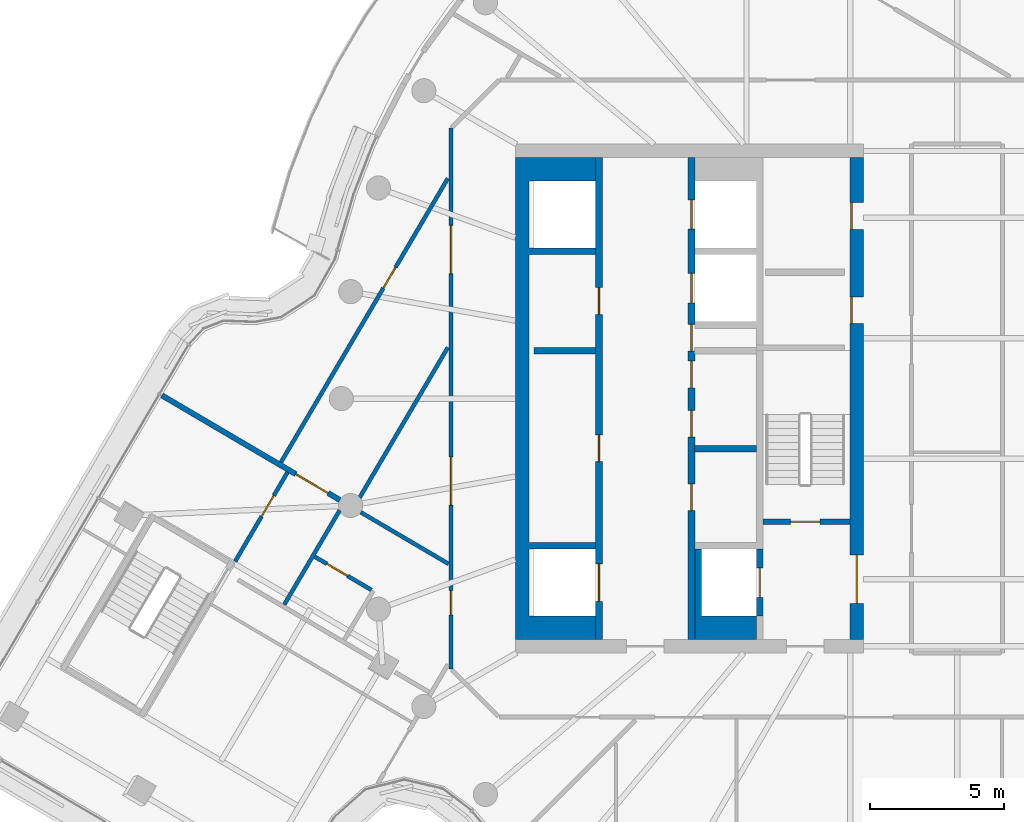
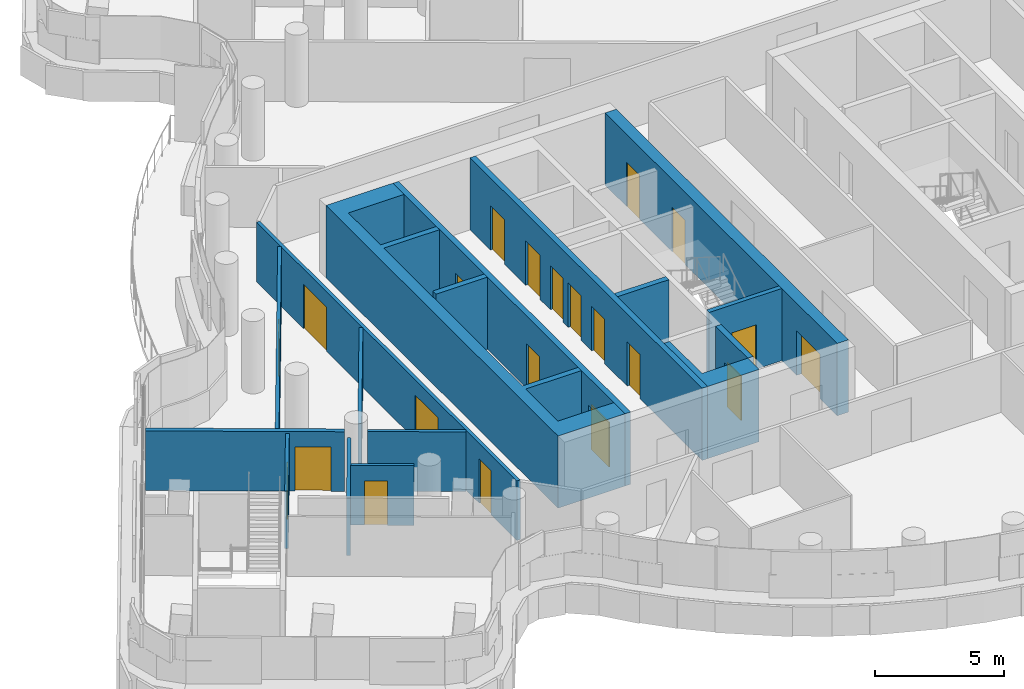
# One storey, part 17 of 26: 21 doors, 17 walls, 21 openings.
"""IFC4 building model written with IfcOpenShell, lengths in metres."""

from ifc_helpers import new_model, si_unit, direction, frame, frame_2d, origin, place, context, subcontext, project, spatial, polyline, rectangle, outline, extrude, material, layer, layer_set, type_object, element, fill, save


model = new_model("IFC4")

# Units and contexts
model_context = context("Model", 3, precision=1e-05, world=origin(), true_north=direction((0.0, 1.0)))
body_context = subcontext(model_context, "Body", "Model", "MODEL_VIEW")
ifc_project = project(units=[si_unit("LENGTHUNIT", "METRE"), si_unit("AREAUNIT", "SQUARE_METRE"), si_unit("VOLUMEUNIT", "CUBIC_METRE"), si_unit("PLANEANGLEUNIT", "RADIAN"), si_unit("MASSUNIT", "GRAM", prefix="KILO")], contexts=[model_context])

# Site, building, storey
site_placement = place(None, origin())
site = spatial("IfcSite", under=ifc_project, at=site_placement, CompositionType="ELEMENT")
building_placement = place(site_placement, origin())
building = spatial("IfcBuilding", under=site, at=building_placement, Name="Tamarind Cross Interchange Tower", CompositionType="ELEMENT")
storey_placement = place(building_placement, frame((0.0, 0.0, 248.699951171875)))
storey = spatial("IfcBuildingStorey", under=building, at=storey_placement, Name="L63", CompositionType="ELEMENT", Elevation=248.699951171875)

# Wall
ifc_material_1 = material(Name="Concrete C50", Category="concrete")
ifc_layer_1 = layer(ifc_material_1, 0.5)
ifc_layer_set_1 = layer_set([ifc_layer_1], Name="Concrete C50")
wall_type_1 = type_object("IfcWallType", Name="Core wall 500 mm Concrete C50", PredefinedType="SHEAR", material=ifc_layer_set_1)
wall_1_placement = place(storey_placement, origin())
element("IfcWall", 1, at=wall_1_placement, inside=storey, type_object=wall_type_1, Name="Core wall CWL-L63-W-A", PredefinedType="SHEAR", context=body_context, shape_type="SweptSolid", body=[
    extrude(outline(polyline([(-13.5, -8.125), (-16.0, -8.125), (-16.0, -5.625), (-13.5, -5.625), (-13.5, -5.375), (-16.0, -5.375), (-16.0, 5.375), (-13.5, 5.375), (-13.5, 5.625), (-16.0, 5.625), (-16.0, 8.125), (-13.5, 8.125), (-13.5, 9.0), (-16.0, 9.0), (-16.5, 9.0), (-16.5, -9.0), (-16.0, -9.0), (-13.5, -9.0), (-13.5, -8.125)])), origin(), (0.0, 0.0, 1.0), 3.420166015625),
])

# Wall, openings, doors
wall_2_placement = place(storey_placement, frame((-3.75, -9.0, 0.0), z_axis=(0.0, 0.0, 1.0), x_axis=(0.0, 1.0, 0.0)))
wall_2 = element("IfcWall", 2, at=wall_2_placement, inside=storey, type_object=wall_type_1, Name="Core wall CWL-L63-W-IN", PredefinedType="SHEAR", context=body_context, shape_type="SweptSolid", body=[
    extrude(rectangle(XDim=18.0, YDim=0.5, at=frame_2d((9.0, 0.0))), origin(), (0.0, 0.0, 1.0), 3.420166015625),
])
opening_1_placement = place(wall_2_placement, frame((1.35009765625, 0.0, 0.0)))
opening_1 = element("IfcOpeningElement", 3, at=opening_1_placement, cuts=wall_2, Name="Opening DCW4", PredefinedType="OPENING", context=body_context, shape_type="SweptSolid", body=[
    extrude(rectangle(XDim=1.800048828125, YDim=2.10009765625, at=frame_2d((0.89990234375, 1.050048828125))), frame((0.0, 0.260009765625, 0.0), z_axis=(0.0, -1.0, 0.0), x_axis=(1.0, 0.0, 0.0)), (0.0, 0.0, 1.0), 0.52001953125),
])
opening_2_placement = place(wall_2_placement, frame((11.797607421875, 0.0, 0.0)))
opening_2 = element("IfcOpeningElement", 4, at=opening_2_placement, cuts=wall_2, Name="Opening DCW5", PredefinedType="OPENING", context=body_context, shape_type="SweptSolid", body=[
    extrude(rectangle(XDim=1.0, YDim=2.10009765625, at=frame_2d((0.5, 1.050048828125))), frame((0.0, 0.260009765625, 0.0), z_axis=(0.0, -1.0, 0.0), x_axis=(1.0, 0.0, 0.0)), (0.0, 0.0, 1.0), 0.52001953125),
])
opening_3_placement = place(wall_2_placement, frame((15.322509765625, 0.0, 0.0)))
opening_3 = element("IfcOpeningElement", 5, at=opening_3_placement, cuts=wall_2, Name="Opening DCW5", PredefinedType="OPENING", context=body_context, shape_type="SweptSolid", body=[
    extrude(rectangle(XDim=1.0, YDim=2.10009765625, at=frame_2d((0.5, 1.050048828125))), frame((0.0, 0.260009765625, 0.0), z_axis=(0.0, -1.0, 0.0), x_axis=(1.0, 0.0, 0.0)), (0.0, 0.0, 1.0), 0.52001953125),
])
ifc_material_2 = material(Name="Steel, fire-resisting", Category="steel")
door_type_1 = type_object("IfcDoorType", Name="Core fire door 1000 x 2100 FD90", OperationType="SINGLE_SWING_LEFT", PredefinedType="DOOR", material=ifc_material_2)
door_1_placement = place(opening_2_placement, origin())
door_1 = element("IfcDoor", 6, at=door_1_placement, inside=storey, type_object=door_type_1, Name="L63 linen press door", OperationType="SINGLE_SWING_LEFT", OverallHeight=2.10009765625, OverallWidth=1.0, PredefinedType="DOOR", context=body_context, shape_type="SweptSolid", body=[
    extrude(rectangle(XDim=1.0, YDim=2.10009765625, at=frame_2d((0.5, 1.050048828125))), frame((0.0, 0.22509765625, 0.0), z_axis=(0.0, -1.0, 0.0), x_axis=(1.0, 0.0, 0.0)), (0.0, 0.0, 1.0), 0.050048828125),
])
fill(opening_2, door_1)
door_2_placement = place(opening_3_placement, origin())
door_2 = element("IfcDoor", 7, at=door_2_placement, inside=storey, type_object=door_type_1, Name="L63 housekeeping pantry door", OperationType="SINGLE_SWING_LEFT", OverallHeight=2.10009765625, OverallWidth=1.0, PredefinedType="DOOR", context=body_context, shape_type="SweptSolid", body=[
    extrude(rectangle(XDim=1.0, YDim=2.10009765625, at=frame_2d((0.5, 1.050048828125))), frame((0.0, 0.22509765625, 0.0), z_axis=(0.0, -1.0, 0.0), x_axis=(1.0, 0.0, 0.0)), (0.0, 0.0, 1.0), 0.050048828125),
])
fill(opening_3, door_2)
door_type_2 = type_object("IfcDoorType", Name="Core fire door 1800 x 2100 FD90", OperationType="SINGLE_SWING_LEFT", PredefinedType="DOOR", material=ifc_material_2)
door_3_placement = place(opening_1_placement, origin())
door_3 = element("IfcDoor", 8, at=door_3_placement, inside=storey, type_object=door_type_2, Name="L63 firefighting lobby door", OperationType="SINGLE_SWING_LEFT", OverallHeight=2.10009765625, OverallWidth=1.800048828125, PredefinedType="DOOR", context=body_context, shape_type="SweptSolid", body=[
    extrude(rectangle(XDim=1.800048828125, YDim=2.10009765625, at=frame_2d((0.89990234375, 1.050048828125))), frame((0.0, 0.02490234375, 0.0), z_axis=(0.0, -1.0, 0.0), x_axis=(1.0, 0.0, 0.0)), (0.0, 0.0, 1.0), 0.050048828125),
])
fill(opening_1, door_3)

# Wall
ifc_layer_2 = layer(ifc_material_1, 0.25)
ifc_layer_set_2 = layer_set([ifc_layer_2], Name="Concrete C50")
wall_type_2 = type_object("IfcWallType", Name="Core web wall 250 mm Concrete C50", PredefinedType="SHEAR", material=ifc_layer_set_2)
wall_3_placement = place(storey_placement, origin())
element("IfcWall", 9, at=wall_3_placement, inside=storey, type_object=wall_type_2, Name="Core wall CWL-L63-W-BS", PredefinedType="SHEAR", context=body_context, shape_type="SweptSolid", body=[
    extrude(outline(polyline([(-7.5, -8.125), (-9.550048828125, -8.125), (-9.550048828125, -5.625), (-9.800048828125, -5.625), (-9.800048828125, -8.125), (-9.800048828125, -9.0), (-7.5, -9.0), (-7.5, -8.125)])), origin(), (0.0, 0.0, 1.0), 3.420166015625),
])

# Wall, openings, doors
wall_4_placement = place(storey_placement, frame((-13.375, -9.0, 0.0), z_axis=(0.0, 0.0, 1.0), x_axis=(0.0, 1.0, 0.0)))
wall_4 = element("IfcWall", 10, at=wall_4_placement, inside=storey, type_object=wall_type_2, Name="Core wall CWL-L63-W-LA", PredefinedType="SHEAR", context=body_context, shape_type="SweptSolid", body=[
    extrude(rectangle(XDim=18.0, YDim=0.25, at=frame_2d((9.0, 0.0))), origin(), (0.0, 0.0, 1.0), 3.420166015625),
])
opening_4_placement = place(wall_4_placement, frame((1.425048828125, 0.0, 0.0)))
opening_4 = element("IfcOpeningElement", 11, at=opening_4_placement, cuts=wall_4, Name="Opening LD1L63", PredefinedType="OPENING", context=body_context, shape_type="SweptSolid", body=[
    extrude(rectangle(XDim=1.39990234375, YDim=2.10009765625, at=frame_2d((0.699951171875, 1.050048828125))), frame((0.0, 0.135009765625, 0.0), z_axis=(0.0, -1.0, 0.0), x_axis=(1.0, 0.0, 0.0)), (0.0, 0.0, 1.0), 0.27001953125),
])
opening_5_placement = place(wall_4_placement, frame((6.64599609375, 0.0, 0.0)))
opening_5 = element("IfcOpeningElement", 12, at=opening_5_placement, cuts=wall_4, Name="Opening DCW9", PredefinedType="OPENING", context=body_context, shape_type="SweptSolid", body=[
    extrude(rectangle(XDim=1.0, YDim=2.10009765625, at=frame_2d((0.5, 1.050048828125))), frame((0.0, 0.135009765625, 0.0), z_axis=(0.0, -1.0, 0.0), x_axis=(1.0, 0.0, 0.0)), (0.0, 0.0, 1.0), 0.27001953125),
])
opening_6_placement = place(wall_4_placement, frame((12.14599609375, 0.0, 0.0)))
opening_6 = element("IfcOpeningElement", 13, at=opening_6_placement, cuts=wall_4, Name="Opening DCW10", PredefinedType="OPENING", context=body_context, shape_type="SweptSolid", body=[
    extrude(rectangle(XDim=1.0, YDim=2.10009765625, at=frame_2d((0.5, 1.050048828125))), frame((0.0, 0.135009765625, 0.0), z_axis=(0.0, -1.0, 0.0), x_axis=(1.0, 0.0, 0.0)), (0.0, 0.0, 1.0), 0.27001953125),
])
door_4_placement = place(opening_5_placement, origin())
door_4 = element("IfcDoor", 14, at=door_4_placement, inside=storey, type_object=door_type_1, Name="L63 Guest laundry door", OperationType="SINGLE_SWING_LEFT", OverallHeight=2.10009765625, OverallWidth=1.0, PredefinedType="DOOR", context=body_context, shape_type="SweptSolid", body=[
    extrude(rectangle(XDim=1.0, YDim=2.10009765625, at=frame_2d((0.5, 1.050048828125))), frame((0.0, 0.02490234375, 0.0), z_axis=(0.0, -1.0, 0.0), x_axis=(1.0, 0.0, 0.0)), (0.0, 0.0, 1.0), 0.050048828125),
])
fill(opening_5, door_4)
door_5_placement = place(opening_6_placement, origin())
door_5 = element("IfcDoor", 15, at=door_5_placement, inside=storey, type_object=door_type_1, Name="L63 Housekeeping pantry door", OperationType="SINGLE_SWING_LEFT", OverallHeight=2.10009765625, OverallWidth=1.0, PredefinedType="DOOR", context=body_context, shape_type="SweptSolid", body=[
    extrude(rectangle(XDim=1.0, YDim=2.10009765625, at=frame_2d((0.5, 1.050048828125))), frame((0.0, 0.02490234375, 0.0), z_axis=(0.0, -1.0, 0.0), x_axis=(1.0, 0.0, 0.0)), (0.0, 0.0, 1.0), 0.050048828125),
])
fill(opening_6, door_5)
ifc_material_3 = material(Name="Stainless steel panel", Category="steel")
door_type_3 = type_object("IfcDoorType", Name="Lift landing door 1400 x 2100 E 120", OperationType="SLIDING_TO_LEFT", PredefinedType="DOOR", material=ifc_material_3)
door_6_placement = place(opening_4_placement, origin())
door_6 = element("IfcDoor", 16, at=door_6_placement, inside=storey, type_object=door_type_3, Name="L63 landing door LF1", OperationType="SLIDING_TO_LEFT", OverallHeight=2.10009765625, OverallWidth=1.39990234375, PredefinedType="DOOR", context=body_context, shape_type="SweptSolid", body=[
    extrude(rectangle(XDim=1.39990234375, YDim=2.10009765625, at=frame_2d((0.699951171875, 1.050048828125))), frame((0.0, 0.02490234375, 0.0), z_axis=(0.0, -1.0, 0.0), x_axis=(1.0, 0.0, 0.0)), (0.0, 0.0, 1.0), 0.050048828125),
])
fill(opening_4, door_6)

wall_5_placement = place(storey_placement, frame((-9.925048828125, -9.0, 0.0), z_axis=(0.0, 0.0, 1.0), x_axis=(0.0, 1.0, 0.0)))
wall_5 = element("IfcWall", 17, at=wall_5_placement, inside=storey, type_object=wall_type_2, Name="Core wall CWL-L63-W-LB", PredefinedType="SHEAR", context=body_context, shape_type="SweptSolid", body=[
    extrude(rectangle(XDim=18.0, YDim=0.25, at=frame_2d((9.0, 0.0))), origin(), (0.0, 0.0, 1.0), 3.420166015625),
])
opening_7_placement = place(wall_5_placement, frame((12.574951171875, 0.0, 0.0)))
opening_7 = element("IfcOpeningElement", 18, at=opening_7_placement, cuts=wall_5, Name="Opening LD11L63", PredefinedType="OPENING", context=body_context, shape_type="SweptSolid", body=[
    extrude(rectangle(XDim=1.10009765625, YDim=2.10009765625, at=frame_2d((0.550048828125, 1.050048828125))), frame((0.0, 0.135009765625, 0.0), z_axis=(0.0, -1.0, 0.0), x_axis=(1.0, 0.0, 0.0)), (0.0, 0.0, 1.0), 0.27001953125),
])
opening_8_placement = place(wall_5_placement, frame((15.324951171875, 0.0, 0.0)))
opening_8 = element("IfcOpeningElement", 19, at=opening_8_placement, cuts=wall_5, Name="Opening LD12L63", PredefinedType="OPENING", context=body_context, shape_type="SweptSolid", body=[
    extrude(rectangle(XDim=1.10009765625, YDim=2.10009765625, at=frame_2d((0.550048828125, 1.050048828125))), frame((0.0, 0.135009765625, 0.0), z_axis=(0.0, -1.0, 0.0), x_axis=(1.0, 0.0, 0.0)), (0.0, 0.0, 1.0), 0.27001953125),
])
opening_9_placement = place(wall_5_placement, frame((4.8125, 0.0, 0.0)))
opening_9 = element("IfcOpeningElement", 20, at=opening_9_placement, cuts=wall_5, Name="Opening DCW21", PredefinedType="OPENING", context=body_context, shape_type="SweptSolid", body=[
    extrude(rectangle(XDim=1.0, YDim=2.10009765625, at=frame_2d((0.5, 1.050048828125))), frame((0.0, 0.135009765625, 0.0), z_axis=(0.0, -1.0, 0.0), x_axis=(1.0, 0.0, 0.0)), (0.0, 0.0, 1.0), 0.27001953125),
])
opening_10_placement = place(wall_5_placement, frame((7.5625, 0.0, 0.0)))
opening_10 = element("IfcOpeningElement", 21, at=opening_10_placement, cuts=wall_5, Name="Opening DCW22", PredefinedType="OPENING", context=body_context, shape_type="SweptSolid", body=[
    extrude(rectangle(XDim=1.0, YDim=2.10009765625, at=frame_2d((0.5, 1.050048828125))), frame((0.0, 0.135009765625, 0.0), z_axis=(0.0, -1.0, 0.0), x_axis=(1.0, 0.0, 0.0)), (0.0, 0.0, 1.0), 0.27001953125),
])
opening_11_placement = place(wall_5_placement, frame((9.39599609375, 0.0, 0.0)))
opening_11 = element("IfcOpeningElement", 22, at=opening_11_placement, cuts=wall_5, Name="Opening DCW21", PredefinedType="OPENING", context=body_context, shape_type="SweptSolid", body=[
    extrude(rectangle(XDim=1.0, YDim=2.10009765625, at=frame_2d((0.5, 1.050048828125))), frame((0.0, 0.135009765625, 0.0), z_axis=(0.0, -1.0, 0.0), x_axis=(1.0, 0.0, 0.0)), (0.0, 0.0, 1.0), 0.27001953125),
])
opening_12_placement = place(wall_5_placement, frame((10.77099609375, 0.0, 0.0)))
opening_12 = element("IfcOpeningElement", 23, at=opening_12_placement, cuts=wall_5, Name="Opening DCW22", PredefinedType="OPENING", context=body_context, shape_type="SweptSolid", body=[
    extrude(rectangle(XDim=1.0, YDim=2.10009765625, at=frame_2d((0.5, 1.050048828125))), frame((0.0, 0.135009765625, 0.0), z_axis=(0.0, -1.0, 0.0), x_axis=(1.0, 0.0, 0.0)), (0.0, 0.0, 1.0), 0.27001953125),
])
door_7_placement = place(opening_9_placement, origin())
door_7 = element("IfcDoor", 24, at=door_7_placement, inside=storey, type_object=door_type_1, Name="L63 Ice and vending room door", OperationType="SINGLE_SWING_LEFT", OverallHeight=2.10009765625, OverallWidth=1.0, PredefinedType="DOOR", context=body_context, shape_type="SweptSolid", body=[
    extrude(rectangle(XDim=1.0, YDim=2.10009765625, at=frame_2d((0.5, 1.050048828125))), frame((0.0, 0.02490234375, 0.0), z_axis=(0.0, -1.0, 0.0), x_axis=(1.0, 0.0, 0.0)), (0.0, 0.0, 1.0), 0.050048828125),
])
fill(opening_9, door_7)
door_8_placement = place(opening_10_placement, origin())
door_8 = element("IfcDoor", 25, at=door_8_placement, inside=storey, type_object=door_type_1, Name="L63 Guest laundry door", OperationType="SINGLE_SWING_LEFT", OverallHeight=2.10009765625, OverallWidth=1.0, PredefinedType="DOOR", context=body_context, shape_type="SweptSolid", body=[
    extrude(rectangle(XDim=1.0, YDim=2.10009765625, at=frame_2d((0.5, 1.050048828125))), frame((0.0, 0.02490234375, 0.0), z_axis=(0.0, -1.0, 0.0), x_axis=(1.0, 0.0, 0.0)), (0.0, 0.0, 1.0), 0.050048828125),
])
fill(opening_10, door_8)
door_9_placement = place(opening_11_placement, origin())
door_9 = element("IfcDoor", 26, at=door_9_placement, inside=storey, type_object=door_type_1, Name="L63 Ice and vending room door", OperationType="SINGLE_SWING_LEFT", OverallHeight=2.10009765625, OverallWidth=1.0, PredefinedType="DOOR", context=body_context, shape_type="SweptSolid", body=[
    extrude(rectangle(XDim=1.0, YDim=2.10009765625, at=frame_2d((0.5, 1.050048828125))), frame((0.0, 0.02490234375, 0.0), z_axis=(0.0, -1.0, 0.0), x_axis=(1.0, 0.0, 0.0)), (0.0, 0.0, 1.0), 0.050048828125),
])
fill(opening_11, door_9)
door_10_placement = place(opening_12_placement, origin())
door_10 = element("IfcDoor", 27, at=door_10_placement, inside=storey, type_object=door_type_1, Name="L63 Guest laundry door", OperationType="SINGLE_SWING_LEFT", OverallHeight=2.10009765625, OverallWidth=1.0, PredefinedType="DOOR", context=body_context, shape_type="SweptSolid", body=[
    extrude(rectangle(XDim=1.0, YDim=2.10009765625, at=frame_2d((0.5, 1.050048828125))), frame((0.0, 0.02490234375, 0.0), z_axis=(0.0, -1.0, 0.0), x_axis=(1.0, 0.0, 0.0)), (0.0, 0.0, 1.0), 0.050048828125),
])
fill(opening_12, door_10)
door_type_4 = type_object("IfcDoorType", Name="Lift landing door 1100 x 2100 E 120", OperationType="SLIDING_TO_LEFT", PredefinedType="DOOR", material=ifc_material_3)
door_11_placement = place(opening_7_placement, origin())
door_11 = element("IfcDoor", 28, at=door_11_placement, inside=storey, type_object=door_type_4, Name="L63 landing door LF11", OperationType="SLIDING_TO_LEFT", OverallHeight=2.10009765625, OverallWidth=1.10009765625, PredefinedType="DOOR", context=body_context, shape_type="SweptSolid", body=[
    extrude(rectangle(XDim=1.10009765625, YDim=2.10009765625, at=frame_2d((0.550048828125, 1.050048828125))), frame((0.0, 0.02490234375, 0.0), z_axis=(0.0, -1.0, 0.0), x_axis=(1.0, 0.0, 0.0)), (0.0, 0.0, 1.0), 0.050048828125),
])
fill(opening_7, door_11)
door_12_placement = place(opening_8_placement, origin())
door_12 = element("IfcDoor", 29, at=door_12_placement, inside=storey, type_object=door_type_4, Name="L63 landing door LF12", OperationType="SLIDING_TO_LEFT", OverallHeight=2.10009765625, OverallWidth=1.10009765625, PredefinedType="DOOR", context=body_context, shape_type="SweptSolid", body=[
    extrude(rectangle(XDim=1.10009765625, YDim=2.10009765625, at=frame_2d((0.550048828125, 1.050048828125))), frame((0.0, 0.02490234375, 0.0), z_axis=(0.0, -1.0, 0.0), x_axis=(1.0, 0.0, 0.0)), (0.0, 0.0, 1.0), 0.050048828125),
])
fill(opening_8, door_12)

# Wall, opening, door
wall_6_placement = place(storey_placement, frame((-7.375, -8.125, 0.0), z_axis=(0.0, 0.0, 1.0), x_axis=(0.0, 1.0, 0.0)))
wall_6 = element("IfcWall", 30, at=wall_6_placement, inside=storey, type_object=wall_type_2, Name="Core wall CWL-L63-W-FF", PredefinedType="SHEAR", context=body_context, shape_type="SweptSolid", body=[
    extrude(rectangle(XDim=2.5, YDim=0.25, at=frame_2d((1.25, 0.0))), origin(), (0.0, 0.0, 1.0), 3.420166015625),
])
opening_13_placement = place(wall_6_placement, frame((0.699951171875, 0.0, 0.0)))
opening_13 = element("IfcOpeningElement", 31, at=opening_13_placement, cuts=wall_6, Name="Opening LD7L63", PredefinedType="OPENING", context=body_context, shape_type="SweptSolid", body=[
    extrude(rectangle(XDim=1.10009765625, YDim=2.10009765625, at=frame_2d((0.550048828125, 1.050048828125))), frame((0.0, 0.135009765625, 0.0), z_axis=(0.0, -1.0, 0.0), x_axis=(1.0, 0.0, 0.0)), (0.0, 0.0, 1.0), 0.27001953125),
])
door_13_placement = place(opening_13_placement, origin())
door_13 = element("IfcDoor", 32, at=door_13_placement, inside=storey, type_object=door_type_4, Name="L63 landing door LF7", OperationType="SLIDING_TO_LEFT", OverallHeight=2.10009765625, OverallWidth=1.10009765625, PredefinedType="DOOR", context=body_context, shape_type="SweptSolid", body=[
    extrude(rectangle(XDim=1.10009765625, YDim=2.10009765625, at=frame_2d((0.550048828125, 1.050048828125))), frame((0.0, 0.02490234375, 0.0), z_axis=(0.0, -1.0, 0.0), x_axis=(1.0, 0.0, 0.0)), (0.0, 0.0, 1.0), 0.050048828125),
])
fill(opening_13, door_13)

# Wall
ifc_material_4 = material(Name="Gypsum board partition on steel studs", Category="steel")
ifc_layer_3 = layer(ifc_material_4, 0.14990234375)
ifc_layer_set_3 = layer_set([ifc_layer_3], Name="Gypsum board partition on steel studs")
wall_type_3 = type_object("IfcWallType", Name="Partition 150 mm EI 120", PredefinedType="PARTITIONING", material=ifc_layer_set_3)
wall_7_placement = place(storey_placement, frame((-22.274658203125, -4.246337890625, 0.0), z_axis=(0.0, 0.0, 1.0), x_axis=(0.862128807231, -0.506689174685, 0.0)))
element("IfcWall", 33, at=wall_7_placement, inside=storey, type_object=wall_type_3, Name="Partition L63-010", PredefinedType="PARTITIONING", context=body_context, shape_type="SweptSolid", body=[
    extrude(rectangle(XDim=3.8046875, YDim=0.14990234375, at=frame_2d((1.90234375, 0.0))), origin(), (0.0, 0.0, 1.0), 2.823974609375),
])

# Wall, opening, door
wall_8_placement = place(storey_placement, frame((-23.9921875, -5.905029296875, 0.0), z_axis=(0.0, 0.0, 1.0), x_axis=(0.862238889769, -0.506501823263, 0.0)))
wall_8 = element("IfcWall", 34, at=wall_8_placement, inside=storey, type_object=wall_type_3, Name="Partition L63-011", PredefinedType="PARTITIONING", context=body_context, shape_type="SweptSolid", body=[
    extrude(rectangle(XDim=2.4501953125, YDim=0.14990234375, at=frame_2d((1.22509765625, 0.0))), origin(), (0.0, 0.0, 1.0), 2.823974609375),
])
opening_14_placement = place(wall_8_placement, frame((0.52490234375, 0.0, 0.0)))
opening_14 = element("IfcOpeningElement", 35, at=opening_14_placement, cuts=wall_8, Name="Opening D02", PredefinedType="OPENING", context=body_context, shape_type="SweptSolid", body=[
    extrude(rectangle(XDim=0.89990234375, YDim=2.10009765625, at=frame_2d((0.449951171875, 1.050048828125))), frame((0.0, 0.0849609375, 0.0), z_axis=(0.0, -1.0, 0.0), x_axis=(1.0, 0.0, 0.0)), (0.0, 0.0, 1.0), 0.169921875),
])
ifc_material_5 = material(Name="Fire-resisting door set")
door_type_5 = type_object("IfcDoorType", Name="Interior door 900 x 2100 FD60S", OperationType="SINGLE_SWING_LEFT", PredefinedType="DOOR", material=ifc_material_5)
door_14_placement = place(opening_14_placement, frame((0.89990234375, 0.0, 0.0), z_axis=(0.0, 0.0, 1.0), x_axis=(-1.0, 0.0, 0.0)))
door_14 = element("IfcDoor", 36, at=door_14_placement, inside=storey, type_object=door_type_5, Name="Door D02", OperationType="SINGLE_SWING_LEFT", OverallHeight=2.10009765625, OverallWidth=0.89990234375, PredefinedType="DOOR", context=body_context, shape_type="SweptSolid", body=[
    extrude(rectangle(XDim=0.89990234375, YDim=2.10009765625, at=frame_2d((0.449951171875, 1.050048828125))), frame((0.0, 0.02490234375, 0.0), z_axis=(0.0, -1.0, 0.0), x_axis=(1.0, 0.0, 0.0)), (0.0, 0.0, 1.0), 0.050048828125),
])
fill(opening_14, door_14)

wall_9_placement = place(storey_placement, frame((-26.966552734375, -6.08154296875, 0.0), z_axis=(0.0, 0.0, 1.0), x_axis=(0.506735370339, 0.862101655518, 0.0)))
wall_9 = element("IfcWall", 37, at=wall_9_placement, inside=storey, type_object=wall_type_3, Name="Partition L63-034", PredefinedType="PARTITIONING", context=body_context, shape_type="SweptSolid", body=[
    extrude(rectangle(XDim=3.859619140625, YDim=0.14990234375, at=frame_2d((1.9296875, 0.0))), origin(), (0.0, 0.0, 1.0), 2.719970703125),
])
opening_15_placement = place(wall_9_placement, frame((1.949951171875, 0.0, 0.0)))
opening_15 = element("IfcOpeningElement", 38, at=opening_15_placement, cuts=wall_9, Name="Opening D13", PredefinedType="OPENING", context=body_context, shape_type="SweptSolid", body=[
    extrude(rectangle(XDim=0.89990234375, YDim=2.10009765625, at=frame_2d((0.449951171875, 1.050048828125))), frame((0.0, 0.0849609375, 0.0), z_axis=(0.0, -1.0, 0.0), x_axis=(1.0, 0.0, 0.0)), (0.0, 0.0, 1.0), 0.169921875),
])
door_15_placement = place(opening_15_placement, origin())
door_15 = element("IfcDoor", 39, at=door_15_placement, inside=storey, type_object=door_type_5, Name="Door D13", OperationType="SINGLE_SWING_LEFT", OverallHeight=2.10009765625, OverallWidth=0.89990234375, PredefinedType="DOOR", context=body_context, shape_type="SweptSolid", body=[
    extrude(rectangle(XDim=0.89990234375, YDim=2.10009765625, at=frame_2d((0.449951171875, 1.050048828125))), frame((0.0, 0.02490234375, 0.0), z_axis=(0.0, -1.0, 0.0), x_axis=(1.0, 0.0, 0.0)), (0.0, 0.0, 1.0), 0.050048828125),
])
fill(opening_15, door_15)

wall_10_placement = place(storey_placement, frame((-25.25439453125, -2.37890625, 0.0), z_axis=(0.0, 0.0, 1.0), x_axis=(0.506733850669, 0.862102548764, 0.0)))
wall_10 = element("IfcWall", 40, at=wall_10_placement, inside=storey, type_object=wall_type_3, Name="Partition L63-035", PredefinedType="PARTITIONING", context=body_context, shape_type="SweptSolid", body=[
    extrude(rectangle(XDim=12.300048828125, YDim=0.14990234375, at=frame_2d((6.14990234375, 0.0))), origin(), (0.0, 0.0, 1.0), 2.823974609375),
])
opening_16_placement = place(wall_10_placement, frame((7.550048828125, 0.0, 0.0)))
opening_16 = element("IfcOpeningElement", 41, at=opening_16_placement, cuts=wall_10, Name="Opening D14", PredefinedType="OPENING", context=body_context, shape_type="SweptSolid", body=[
    extrude(rectangle(XDim=0.89990234375, YDim=2.10009765625, at=frame_2d((0.449951171875, 1.050048828125))), frame((0.0, 0.0849609375, 0.0), z_axis=(0.0, -1.0, 0.0), x_axis=(1.0, 0.0, 0.0)), (0.0, 0.0, 1.0), 0.169921875),
])
door_16_placement = place(opening_16_placement, origin())
door_16 = element("IfcDoor", 42, at=door_16_placement, inside=storey, type_object=door_type_5, Name="Door D14", OperationType="SINGLE_SWING_LEFT", OverallHeight=2.10009765625, OverallWidth=0.89990234375, PredefinedType="DOOR", context=body_context, shape_type="SweptSolid", body=[
    extrude(rectangle(XDim=0.89990234375, YDim=2.10009765625, at=frame_2d((0.449951171875, 1.050048828125))), frame((0.0, 0.02490234375, 0.0), z_axis=(0.0, -1.0, 0.0), x_axis=(1.0, 0.0, 0.0)), (0.0, 0.0, 1.0), 0.050048828125),
])
fill(opening_16, door_16)

# Walls
wall_11_placement = place(storey_placement, frame((-25.130615234375, -7.695068359375, 0.0), z_axis=(0.0, 0.0, 1.0), x_axis=(0.506385167167, 0.862307406018, 0.0)))
element("IfcWall", 43, at=wall_11_placement, inside=storey, type_object=wall_type_3, Name="Partition L63-037", PredefinedType="PARTITIONING", context=body_context, shape_type="SweptSolid", body=[
    extrude(rectangle(XDim=4.083984375, YDim=0.14990234375, at=frame_2d((2.0419921875, 0.0))), origin(), (0.0, 0.0, 1.0), 2.719970703125),
])
wall_12_placement = place(storey_placement, frame((-22.317626953125, -3.698486328125, 0.0), z_axis=(0.0, 0.0, 1.0), x_axis=(0.506670752559, 0.862139633993, 0.0)))
element("IfcWall", 44, at=wall_12_placement, inside=storey, type_object=wall_type_3, Name="Partition L63-039", PredefinedType="PARTITIONING", context=body_context, shape_type="SweptSolid", body=[
    extrude(rectangle(XDim=6.50537109375, YDim=0.14990234375, at=frame_2d((3.252685546875, 0.0))), origin(), (0.0, 0.0, 1.0), 2.823974609375),
])

# Wall, openings, doors
wall_13_placement = place(storey_placement, frame((-18.89990234375, -10.10009765625, 0.0), z_axis=(0.0, 0.0, 1.0), x_axis=(0.0, 1.0, 0.0)))
wall_13 = element("IfcWall", 45, at=wall_13_placement, inside=storey, type_object=wall_type_3, Name="Partition L63-051", PredefinedType="PARTITIONING", context=body_context, shape_type="SweptSolid", body=[
    extrude(rectangle(XDim=20.2001953125, YDim=0.14990234375, at=frame_2d((10.10009765625, 0.0))), origin(), (0.0, 0.0, 1.0), 2.823974609375),
])
opening_17_placement = place(wall_13_placement, frame((14.76708984375, 0.0, 0.0)))
opening_17 = element("IfcOpeningElement", 46, at=opening_17_placement, cuts=wall_13, Name="Opening D22", PredefinedType="OPENING", context=body_context, shape_type="SweptSolid", body=[
    extrude(rectangle(XDim=1.800048828125, YDim=2.10009765625, at=frame_2d((0.89990234375, 1.050048828125))), frame((0.0, 0.0849609375, 0.0), z_axis=(0.0, -1.0, 0.0), x_axis=(1.0, 0.0, 0.0)), (0.0, 0.0, 1.0), 0.169921875),
])
opening_18_placement = place(wall_13_placement, frame((6.1201171875, 0.0, 0.0)))
opening_18 = element("IfcOpeningElement", 47, at=opening_18_placement, cuts=wall_13, Name="Opening D23", PredefinedType="OPENING", context=body_context, shape_type="SweptSolid", body=[
    extrude(rectangle(XDim=1.800048828125, YDim=2.10009765625, at=frame_2d((0.89990234375, 1.050048828125))), frame((0.0, 0.0849609375, 0.0), z_axis=(0.0, -1.0, 0.0), x_axis=(1.0, 0.0, 0.0)), (0.0, 0.0, 1.0), 0.169921875),
])
opening_19_placement = place(wall_13_placement, frame((2.02587890625, 0.0, 0.0)))
opening_19 = element("IfcOpeningElement", 48, at=opening_19_placement, cuts=wall_13, Name="Opening D24", PredefinedType="OPENING", context=body_context, shape_type="SweptSolid", body=[
    extrude(rectangle(XDim=0.89990234375, YDim=2.10009765625, at=frame_2d((0.449951171875, 1.050048828125))), frame((0.0, 0.0849609375, 0.0), z_axis=(0.0, -1.0, 0.0), x_axis=(1.0, 0.0, 0.0)), (0.0, 0.0, 1.0), 0.169921875),
])
door_type_6 = type_object("IfcDoorType", Name="Interior door 1800 x 2100 FD60S", OperationType="DOUBLE_DOOR_SINGLE_SWING", PredefinedType="DOOR", material=ifc_material_5)
door_17_placement = place(opening_17_placement, frame((1.800048828125, 0.0, 0.0), z_axis=(0.0, 0.0, 1.0), x_axis=(-1.0, 0.0, 0.0)))
door_17 = element("IfcDoor", 49, at=door_17_placement, inside=storey, type_object=door_type_6, Name="Door D22", OperationType="DOUBLE_DOOR_SINGLE_SWING", OverallHeight=2.10009765625, OverallWidth=1.800048828125, PredefinedType="DOOR", context=body_context, shape_type="SweptSolid", body=[
    extrude(rectangle(XDim=1.800048828125, YDim=2.10009765625, at=frame_2d((0.89990234375, 1.050048828125))), frame((0.0, 0.02490234375, 0.0), z_axis=(0.0, -1.0, 0.0), x_axis=(1.0, 0.0, 0.0)), (0.0, 0.0, 1.0), 0.050048828125),
])
fill(opening_17, door_17)
door_18_placement = place(opening_18_placement, origin())
door_18 = element("IfcDoor", 50, at=door_18_placement, inside=storey, type_object=door_type_6, Name="Door D23", OperationType="DOUBLE_DOOR_SINGLE_SWING", OverallHeight=2.10009765625, OverallWidth=1.800048828125, PredefinedType="DOOR", context=body_context, shape_type="SweptSolid", body=[
    extrude(rectangle(XDim=1.800048828125, YDim=2.10009765625, at=frame_2d((0.89990234375, 1.050048828125))), frame((0.0, 0.02490234375, 0.0), z_axis=(0.0, -1.0, 0.0), x_axis=(1.0, 0.0, 0.0)), (0.0, 0.0, 1.0), 0.050048828125),
])
fill(opening_18, door_18)
door_19_placement = place(opening_19_placement, origin())
door_19 = element("IfcDoor", 51, at=door_19_placement, inside=storey, type_object=door_type_5, Name="Door D24", OperationType="SINGLE_SWING_RIGHT", OverallHeight=2.10009765625, OverallWidth=0.89990234375, PredefinedType="DOOR", context=body_context, shape_type="SweptSolid", body=[
    extrude(rectangle(XDim=0.89990234375, YDim=2.10009765625, at=frame_2d((0.449951171875, 1.050048828125))), frame((0.0, 0.02490234375, 0.0), z_axis=(0.0, -1.0, 0.0), x_axis=(1.0, 0.0, 0.0)), (0.0, 0.0, 1.0), 0.050048828125),
])
fill(opening_19, door_19)

# Wall, opening, door
ifc_layer_4 = layer(ifc_material_4, 0.199951171875)
ifc_layer_set_4 = layer_set([ifc_layer_4], Name="Gypsum board partition on steel studs")
wall_type_4 = type_object("IfcWallType", Name="Partition 200 mm EI 180", PredefinedType="PARTITIONING", material=ifc_layer_set_4)
wall_14_placement = place(storey_placement, frame((-29.700927734375, 0.118408203125, 0.0), z_axis=(0.0, 0.0, 1.0), x_axis=(0.862110841902, -0.506719741351, 0.0)))
wall_14 = element("IfcWall", 52, at=wall_14_placement, inside=storey, type_object=wall_type_4, Name="Partition L63-009", PredefinedType="PARTITIONING", context=body_context, shape_type="SweptSolid", body=[
    extrude(rectangle(XDim=7.70849609375, YDim=0.199951171875, at=frame_2d((3.854248046875, 0.0))), origin(), (0.0, 0.0, 1.0), 2.823974609375),
])
opening_20_placement = place(wall_14_placement, frame((5.799072265625, 0.0, 0.0)))
opening_20 = element("IfcOpeningElement", 53, at=opening_20_placement, cuts=wall_14, Name="Opening D01", PredefinedType="OPENING", context=body_context, shape_type="SweptSolid", body=[
    extrude(rectangle(XDim=1.39990234375, YDim=2.10009765625, at=frame_2d((0.699951171875, 1.050048828125))), frame((0.0, 0.10986328125, 0.0), z_axis=(0.0, -1.0, 0.0), x_axis=(1.0, 0.0, 0.0)), (0.0, 0.0, 1.0), 0.219970703125),
])
door_type_7 = type_object("IfcDoorType", Name="Interior door 1400 x 2100 FD120S", OperationType="DOUBLE_DOOR_SINGLE_SWING", PredefinedType="DOOR", material=ifc_material_5)
door_20_placement = place(opening_20_placement, origin())
door_20 = element("IfcDoor", 54, at=door_20_placement, inside=storey, type_object=door_type_7, Name="Door D01", OperationType="DOUBLE_DOOR_SINGLE_SWING", OverallHeight=2.10009765625, OverallWidth=1.39990234375, PredefinedType="DOOR", context=body_context, shape_type="SweptSolid", body=[
    extrude(rectangle(XDim=1.39990234375, YDim=2.10009765625, at=frame_2d((0.699951171875, 1.050048828125))), frame((0.0, 0.02490234375, 0.0), z_axis=(0.0, -1.0, 0.0), x_axis=(1.0, 0.0, 0.0)), (0.0, 0.0, 1.0), 0.050048828125),
])
fill(opening_20, door_20)

# Walls
ifc_material_6 = material(Name="Concrete C40", Category="concrete")
ifc_layer_5 = layer(ifc_material_6, 0.25)
ifc_layer_set_5 = layer_set([ifc_layer_5], Name="Concrete C40")
wall_type_5 = type_object("IfcWallType", Name="Shaft and lobby wall 250 mm Concrete C40", PredefinedType="PARTITIONING", material=ifc_layer_set_5)
for number, where, z_axis, x_axis, name in (
    (55, (-15.800048828125, 1.7919921875, 0.0), (0.0, 0.0, 1.0), (1.0, 0.0, 0.0), "Shaft wall CWL-L63-W-FPA1"),
    (56, (-9.800048828125, -1.875, 0.0), (0.0, 0.0, 1.0), (1.0, 0.0, 0.0), "Shaft wall CWL-L63-W-FPB1"),
):
    element("IfcWall", number, at=place(storey_placement, frame(where, z_axis=z_axis, x_axis=x_axis)), inside=storey, type_object=wall_type_5, Name=name, PredefinedType="PARTITIONING", context=body_context, shape_type="SweptSolid", body=[
        extrude(rectangle(XDim=2.300048828125, YDim=0.25, at=frame_2d((1.14990234375, 0.0))), origin(), (0.0, 0.0, 1.0), 3.420166015625),
    ])

# Wall, opening, door
ifc_layer_6 = layer(ifc_material_6, 0.199951171875)
ifc_layer_set_6 = layer_set([ifc_layer_6], Name="Concrete C40")
wall_type_6 = type_object("IfcWallType", Name="Stair shaft wall 200 mm Concrete C40", PredefinedType="SHEAR", material=ifc_layer_set_6)
wall_15_placement = place(storey_placement, frame((-7.25, -4.60009765625, 0.0), z_axis=(0.0, 0.0, 1.0), x_axis=(1.0, 0.0, 0.0)))
wall_15 = element("IfcWall", 57, at=wall_15_placement, inside=storey, type_object=wall_type_6, Name="Core wall CWL-L63-W-SD", PredefinedType="SHEAR", context=body_context, shape_type="SweptSolid", body=[
    extrude(rectangle(XDim=3.25, YDim=0.199951171875, at=frame_2d((1.625, 0.0))), origin(), (0.0, 0.0, 1.0), 3.420166015625),
])
opening_21_placement = place(wall_15_placement, frame((1.02490234375, 0.0, 0.0)))
opening_21 = element("IfcOpeningElement", 58, at=opening_21_placement, cuts=wall_15, Name="Opening DCW6", PredefinedType="OPENING", context=body_context, shape_type="SweptSolid", body=[
    extrude(rectangle(XDim=1.10009765625, YDim=2.10009765625, at=frame_2d((0.550048828125, 1.050048828125))), frame((0.0, 0.10986328125, 0.0), z_axis=(0.0, -1.0, 0.0), x_axis=(1.0, 0.0, 0.0)), (0.0, 0.0, 1.0), 0.219970703125),
])
door_type_8 = type_object("IfcDoorType", Name="Core fire door 1100 x 2100 FD90", OperationType="SINGLE_SWING_LEFT", PredefinedType="DOOR", material=ifc_material_2)
door_21_placement = place(opening_21_placement, origin())
door_21 = element("IfcDoor", 59, at=door_21_placement, inside=storey, type_object=door_type_8, Name="L63 stair door", OperationType="SINGLE_SWING_LEFT", OverallHeight=2.10009765625, OverallWidth=1.10009765625, PredefinedType="DOOR", context=body_context, shape_type="SweptSolid", body=[
    extrude(rectangle(XDim=1.10009765625, YDim=2.10009765625, at=frame_2d((0.550048828125, 1.050048828125))), frame((0.0, 0.02490234375, 0.0), z_axis=(0.0, -1.0, 0.0), x_axis=(1.0, 0.0, 0.0)), (0.0, 0.0, 1.0), 0.050048828125),
])
fill(opening_21, door_21)

save(model, "model.ifc")
